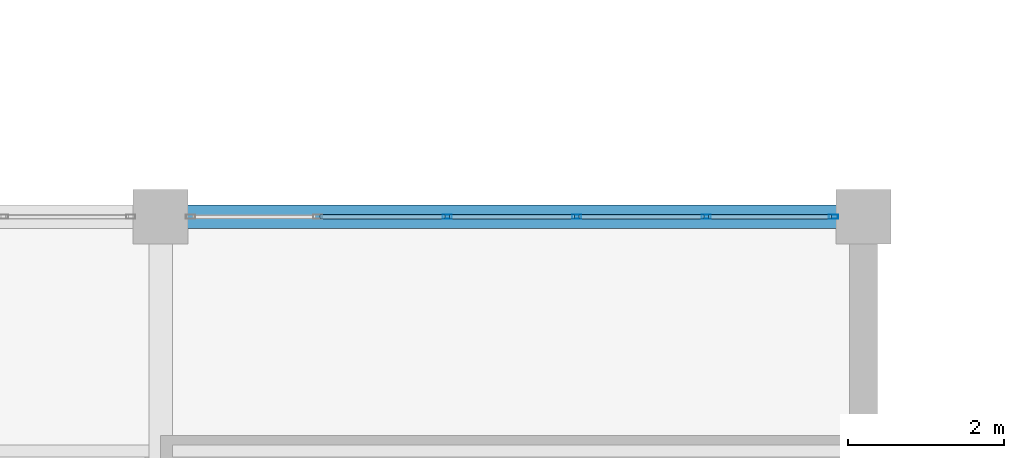
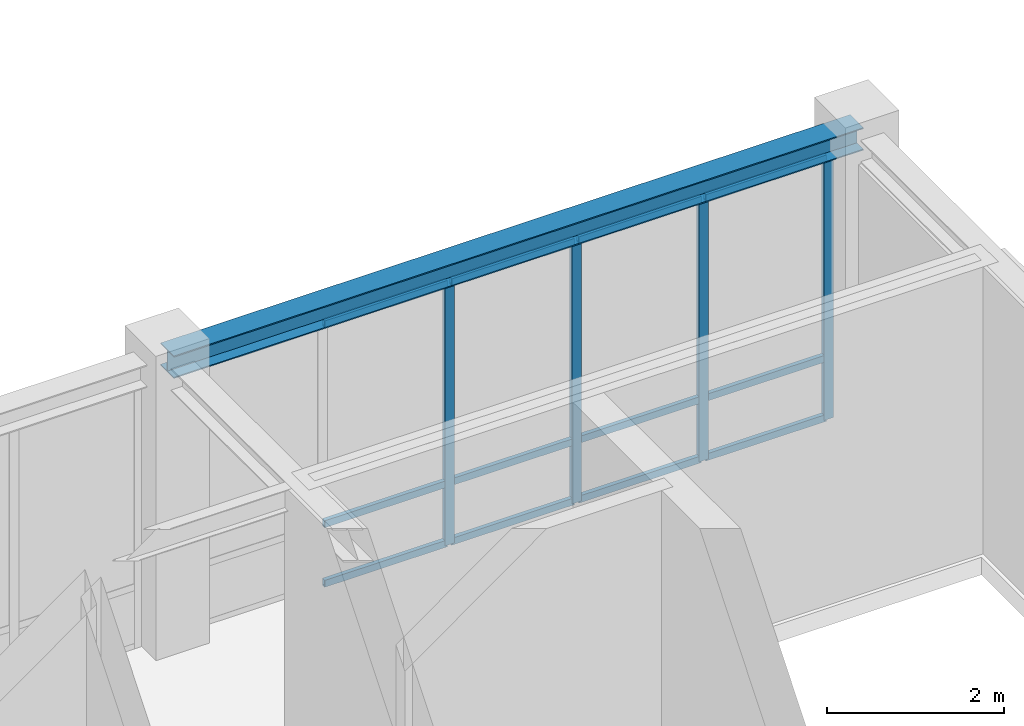
# One storey, part 56 of 108: 16 members, 1 beam, 1 element without a shape of its own.
"""IFC4 building model written with IfcOpenShell, lengths in metres."""

from ifc_helpers import new_model, si_unit, direction, frame, origin, origin_2d, place, context, subcontext, project, spatial, hollow_rectangle, i_section, extrude, material, material_profile, profile_set, type_object, element, aggregate, save


model = new_model("IFC4")

# Units and contexts
model_context = context("Model", 3, precision=1e-05, world=origin(), true_north=direction((0.0, 1.0)))
body_context = subcontext(model_context, "Body", "Model", "MODEL_VIEW")
ifc_project = project(units=[si_unit("LENGTHUNIT", "METRE"), si_unit("AREAUNIT", "SQUARE_METRE"), si_unit("VOLUMEUNIT", "CUBIC_METRE"), si_unit("PLANEANGLEUNIT", "RADIAN"), si_unit("MASSUNIT", "GRAM", prefix="KILO")], contexts=[model_context])

# Site, building, storey
site_placement = place(None, origin())
site = spatial("IfcSite", under=ifc_project, at=site_placement, CompositionType="ELEMENT")
building_placement = place(site_placement, origin())
building = spatial("IfcBuilding", under=site, at=building_placement, Name="Lykobir Media Centre", CompositionType="ELEMENT")
storey_placement = place(building_placement, frame((0.0, 0.0, 15.0)))
storey = spatial("IfcBuildingStorey", under=building, at=storey_placement, Name="L03", CompositionType="ELEMENT", Elevation=15.0)

# Curtain wall, members
ifc_material_1 = material(Name="Anodized Aluminium AW-6060", Category="aluminium")
curtain_wall_type = type_object("IfcCurtainWallType", Name="CW-COURT-B", PredefinedType="NOTDEFINED", material=ifc_material_1)
curtain_wall_placement = place(storey_placement, origin())
curtain_wall = element("IfcCurtainWall", 1, at=curtain_wall_placement, inside=storey, type_object=curtain_wall_type, Name="Curtain wall CW2-L03-0139", PredefinedType="NOTDEFINED")
ifc_material_profile_1 = material_profile(ifc_material_1, hollow_rectangle(XDim=0.054931640625, YDim=0.1201171875, WallThickness=0.003173828125, at=origin_2d()), Name="ALU MULLION 55x120")
ifc_profile_set_1 = profile_set([ifc_material_profile_1], Name="Anodized Aluminium AW-6060")
member_type_1 = type_object("IfcMemberType", Name="CWM-120", PredefinedType="MULLION", material=ifc_profile_set_1)
member_1_placement = place(storey_placement, frame((120.6708984375, 18.0, 0.0), z_axis=(0.0, 0.0, 1.0), x_axis=(0.0, 1.0, 0.0)))
member_1 = element("IfcMember", 2, at=member_1_placement, type_object=member_type_1, Name="CW2-L03-0139 mullion 3", PredefinedType="MULLION", context=body_context, shape_type="SweptSolid", body=[
    extrude(hollow_rectangle(XDim=0.054931640625, YDim=0.1201171875, WallThickness=0.003173828125, at=origin_2d()), origin(), (0.0, 0.0, 1.0), 3.635009765625),
])
member_2_placement = place(storey_placement, frame((122.3291015625, 18.0, 0.0), z_axis=(0.0, 0.0, 1.0), x_axis=(0.0, 1.0, 0.0)))
member_2 = element("IfcMember", 3, at=member_2_placement, type_object=member_type_1, Name="CW2-L03-0139 mullion 4", PredefinedType="MULLION", context=body_context, shape_type="SweptSolid", body=[
    extrude(hollow_rectangle(XDim=0.054931640625, YDim=0.1201171875, WallThickness=0.003173828125, at=origin_2d()), origin(), (0.0, 0.0, 1.0), 3.635009765625),
])
member_3_placement = place(storey_placement, frame((123.987060546875, 18.0, 0.0), z_axis=(0.0, 0.0, 1.0), x_axis=(0.0, 1.0, 0.0)))
member_3 = element("IfcMember", 4, at=member_3_placement, type_object=member_type_1, Name="CW2-L03-0139 mullion 5", PredefinedType="MULLION", context=body_context, shape_type="SweptSolid", body=[
    extrude(hollow_rectangle(XDim=0.054931640625, YDim=0.1201171875, WallThickness=0.003173828125, at=origin_2d()), origin(), (0.0, 0.0, 1.0), 3.635009765625),
])
member_4_placement = place(storey_placement, frame((125.617431640625, 18.0, 0.0), z_axis=(0.0, 0.0, 1.0), x_axis=(0.0, 1.0, 0.0)))
member_4 = element("IfcMember", 5, at=member_4_placement, type_object=member_type_1, Name="CW2-L03-0139 mullion 6", PredefinedType="MULLION", context=body_context, shape_type="SweptSolid", body=[
    extrude(hollow_rectangle(XDim=0.054931640625, YDim=0.1201171875, WallThickness=0.003173828125, at=origin_2d()), origin(), (0.0, 0.0, 1.0), 3.635009765625),
])
ifc_material_profile_2 = material_profile(ifc_material_1, hollow_rectangle(XDim=0.054931640625, YDim=0.094970703125, WallThickness=0.0029296875, at=origin_2d()), Name="ALU TRANSOM 55x95")
ifc_profile_set_2 = profile_set([ifc_material_profile_2], Name="Anodized Aluminium AW-6060")
member_type_2 = type_object("IfcMemberType", Name="CWT-095", PredefinedType="USERDEFINED", material=ifc_profile_set_2)
member_5_placement = place(storey_placement, frame((119.04052734375, 18.0, 0.027587890625), z_axis=(1.0, 0.0, 0.0), x_axis=(0.0, 1.0, 0.0)))
member_5 = element("IfcMember", 6, at=member_5_placement, type_object=member_type_2, Name="CW2-L03-0139 transom 2.1", ObjectType="TRANSOM", PredefinedType="USERDEFINED", context=body_context, shape_type="SweptSolid", body=[
    extrude(hollow_rectangle(XDim=0.054931640625, YDim=0.094970703125, WallThickness=0.0029296875, at=origin_2d()), origin(), (0.0, 0.0, 1.0), 1.60302734375),
])
member_6_placement = place(storey_placement, frame((119.04052734375, 18.0, 0.85009765625), z_axis=(1.0, 0.0, 0.0), x_axis=(0.0, 1.0, 0.0)))
member_6 = element("IfcMember", 7, at=member_6_placement, type_object=member_type_2, Name="CW2-L03-0139 transom 2.2", ObjectType="TRANSOM", PredefinedType="USERDEFINED", context=body_context, shape_type="SweptSolid", body=[
    extrude(hollow_rectangle(XDim=0.054931640625, YDim=0.094970703125, WallThickness=0.0029296875, at=origin_2d()), origin(), (0.0, 0.0, 1.0), 1.60302734375),
])
member_7_placement = place(storey_placement, frame((119.04052734375, 18.0, 3.607421875), z_axis=(1.0, 0.0, 0.0), x_axis=(0.0, 1.0, 0.0)))
member_7 = element("IfcMember", 8, at=member_7_placement, type_object=member_type_2, Name="CW2-L03-0139 transom 2.3", ObjectType="TRANSOM", PredefinedType="USERDEFINED", context=body_context, shape_type="SweptSolid", body=[
    extrude(hollow_rectangle(XDim=0.054931640625, YDim=0.094970703125, WallThickness=0.0029296875, at=origin_2d()), origin(), (0.0, 0.0, 1.0), 1.60302734375),
])
member_8_placement = place(storey_placement, frame((120.698486328125, 18.0, 0.027587890625), z_axis=(1.0, 0.0, 0.0), x_axis=(0.0, 1.0, 0.0)))
member_8 = element("IfcMember", 9, at=member_8_placement, type_object=member_type_2, Name="CW2-L03-0139 transom 3.1", ObjectType="TRANSOM", PredefinedType="USERDEFINED", context=body_context, shape_type="SweptSolid", body=[
    extrude(hollow_rectangle(XDim=0.054931640625, YDim=0.094970703125, WallThickness=0.0029296875, at=origin_2d()), origin(), (0.0, 0.0, 1.0), 1.60302734375),
])
member_9_placement = place(storey_placement, frame((120.698486328125, 18.0, 0.85009765625), z_axis=(1.0, 0.0, 0.0), x_axis=(0.0, 1.0, 0.0)))
member_9 = element("IfcMember", 10, at=member_9_placement, type_object=member_type_2, Name="CW2-L03-0139 transom 3.2", ObjectType="TRANSOM", PredefinedType="USERDEFINED", context=body_context, shape_type="SweptSolid", body=[
    extrude(hollow_rectangle(XDim=0.054931640625, YDim=0.094970703125, WallThickness=0.0029296875, at=origin_2d()), origin(), (0.0, 0.0, 1.0), 1.60302734375),
])
member_10_placement = place(storey_placement, frame((120.698486328125, 18.0, 3.607421875), z_axis=(1.0, 0.0, 0.0), x_axis=(0.0, 1.0, 0.0)))
member_10 = element("IfcMember", 11, at=member_10_placement, type_object=member_type_2, Name="CW2-L03-0139 transom 3.3", ObjectType="TRANSOM", PredefinedType="USERDEFINED", context=body_context, shape_type="SweptSolid", body=[
    extrude(hollow_rectangle(XDim=0.054931640625, YDim=0.094970703125, WallThickness=0.0029296875, at=origin_2d()), origin(), (0.0, 0.0, 1.0), 1.60302734375),
])
member_11_placement = place(storey_placement, frame((122.3564453125, 18.0, 0.027587890625), z_axis=(1.0, 0.0, 0.0), x_axis=(0.0, 1.0, 0.0)))
member_11 = element("IfcMember", 12, at=member_11_placement, type_object=member_type_2, Name="CW2-L03-0139 transom 4.1", ObjectType="TRANSOM", PredefinedType="USERDEFINED", context=body_context, shape_type="SweptSolid", body=[
    extrude(hollow_rectangle(XDim=0.054931640625, YDim=0.094970703125, WallThickness=0.0029296875, at=origin_2d()), origin(), (0.0, 0.0, 1.0), 1.60302734375),
])
member_12_placement = place(storey_placement, frame((122.3564453125, 18.0, 0.85009765625), z_axis=(1.0, 0.0, 0.0), x_axis=(0.0, 1.0, 0.0)))
member_12 = element("IfcMember", 13, at=member_12_placement, type_object=member_type_2, Name="CW2-L03-0139 transom 4.2", ObjectType="TRANSOM", PredefinedType="USERDEFINED", context=body_context, shape_type="SweptSolid", body=[
    extrude(hollow_rectangle(XDim=0.054931640625, YDim=0.094970703125, WallThickness=0.0029296875, at=origin_2d()), origin(), (0.0, 0.0, 1.0), 1.60302734375),
])
member_13_placement = place(storey_placement, frame((122.3564453125, 18.0, 3.607421875), z_axis=(1.0, 0.0, 0.0), x_axis=(0.0, 1.0, 0.0)))
member_13 = element("IfcMember", 14, at=member_13_placement, type_object=member_type_2, Name="CW2-L03-0139 transom 4.3", ObjectType="TRANSOM", PredefinedType="USERDEFINED", context=body_context, shape_type="SweptSolid", body=[
    extrude(hollow_rectangle(XDim=0.054931640625, YDim=0.094970703125, WallThickness=0.0029296875, at=origin_2d()), origin(), (0.0, 0.0, 1.0), 1.60302734375),
])
member_14_placement = place(storey_placement, frame((124.014404296875, 18.0, 0.027587890625), z_axis=(1.0, 0.0, 0.0), x_axis=(0.0, 1.0, 0.0)))
member_14 = element("IfcMember", 15, at=member_14_placement, type_object=member_type_2, Name="CW2-L03-0139 transom 5.1", ObjectType="TRANSOM", PredefinedType="USERDEFINED", context=body_context, shape_type="SweptSolid", body=[
    extrude(hollow_rectangle(XDim=0.054931640625, YDim=0.094970703125, WallThickness=0.0029296875, at=origin_2d()), origin(), (0.0, 0.0, 1.0), 1.57568359375),
])
member_15_placement = place(storey_placement, frame((124.014404296875, 18.0, 0.85009765625), z_axis=(1.0, 0.0, 0.0), x_axis=(0.0, 1.0, 0.0)))
member_15 = element("IfcMember", 16, at=member_15_placement, type_object=member_type_2, Name="CW2-L03-0139 transom 5.2", ObjectType="TRANSOM", PredefinedType="USERDEFINED", context=body_context, shape_type="SweptSolid", body=[
    extrude(hollow_rectangle(XDim=0.054931640625, YDim=0.094970703125, WallThickness=0.0029296875, at=origin_2d()), origin(), (0.0, 0.0, 1.0), 1.57568359375),
])
member_16_placement = place(storey_placement, frame((124.014404296875, 18.0, 3.607421875), z_axis=(1.0, 0.0, 0.0), x_axis=(0.0, 1.0, 0.0)))
member_16 = element("IfcMember", 17, at=member_16_placement, type_object=member_type_2, Name="CW2-L03-0139 transom 5.3", ObjectType="TRANSOM", PredefinedType="USERDEFINED", context=body_context, shape_type="SweptSolid", body=[
    extrude(hollow_rectangle(XDim=0.054931640625, YDim=0.094970703125, WallThickness=0.0029296875, at=origin_2d()), origin(), (0.0, 0.0, 1.0), 1.57568359375),
])
aggregate(curtain_wall, [member_1, member_2, member_3, member_4, member_5, member_6, member_7, member_8, member_9, member_10, member_11, member_12, member_13, member_14, member_15, member_16])

# Beam
ifc_material_2 = material(Name="Steel S355", Category="steel")
ifc_material_profile_3 = material_profile(ifc_material_2, i_section(OverallWidth=0.300048828125, OverallDepth=0.31005859375, WebThickness=0.009033203125, FlangeThickness=0.015380859375, at=origin_2d()), Name="HEA 320")
ifc_profile_set_3 = profile_set([ifc_material_profile_3], Name="Steel S355")
beam_type = type_object("IfcBeamType", Name="SP-HEA320", PredefinedType="SPANDREL", material=ifc_profile_set_3)
beam_placement = place(storey_placement, frame((117.0, 18.0, 3.804931640625), z_axis=(1.0, 0.0, 0.0), x_axis=(0.0, 1.0, 0.0)))
element("IfcBeam", 18, at=beam_placement, inside=storey, type_object=beam_type, Name="Beam BM-L03-1170-0180-1260-0180-1880", PredefinedType="SPANDREL", context=body_context, shape_type="SweptSolid", body=[
    extrude(i_section(OverallWidth=0.300048828125, OverallDepth=0.31005859375, WebThickness=0.009033203125, FlangeThickness=0.015380859375, at=origin_2d()), origin(), (0.0, 0.0, 1.0), 9.0),
])

save(model, "model.ifc")
